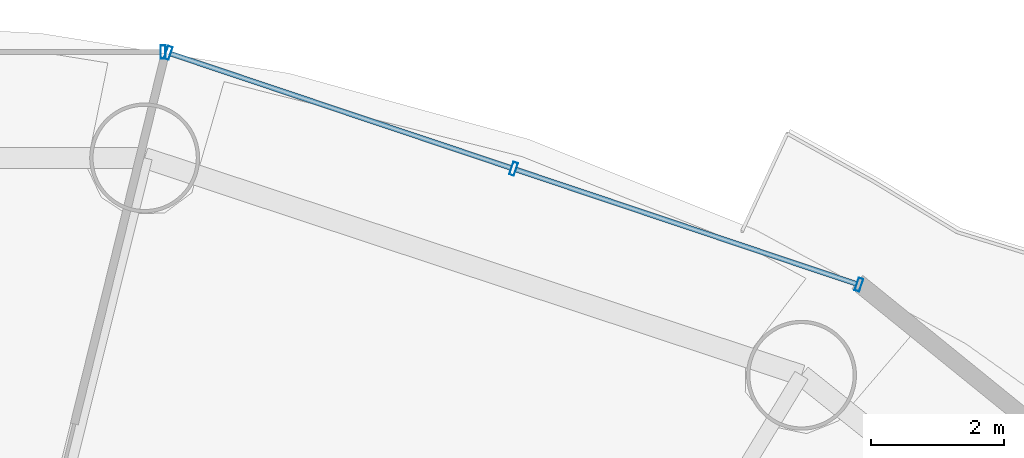
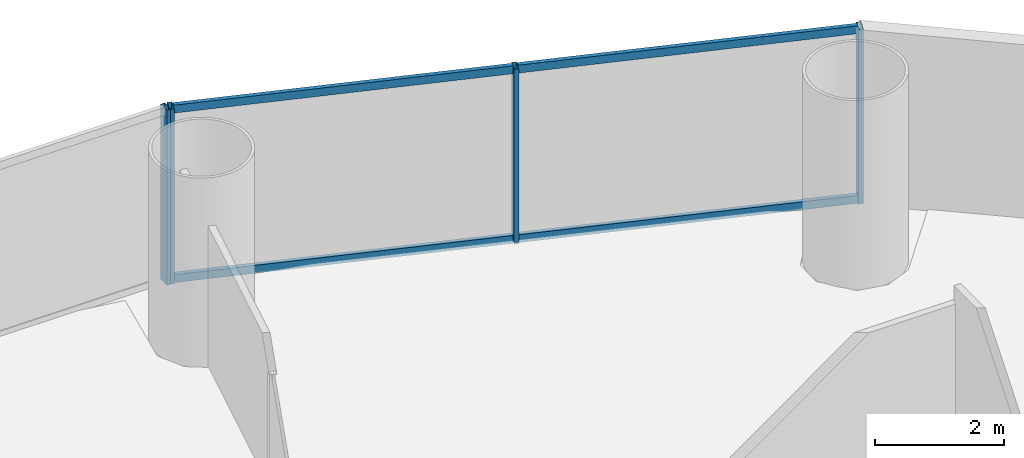
# One storey, part 20 of 30: 8 members, 2 elements without a shape of their own.
"""IFC4 building model written with IfcOpenShell, lengths in metres."""

from ifc_helpers import new_model, si_unit, direction, frame, origin, origin_2d, place, context, subcontext, project, spatial, hollow_rectangle, extrude, source, transform, mapped, material, material_profile, profile_set, type_object, element, aggregate, save


model = new_model("IFC4")

# Units and contexts
model_context = context("Model", 3, precision=1e-05, world=origin(), true_north=direction((-0.2419218956, 0.970295726276)))
body_context = subcontext(model_context, "Body", "Model", "MODEL_VIEW")
ifc_project = project(units=[si_unit("LENGTHUNIT", "METRE"), si_unit("AREAUNIT", "SQUARE_METRE"), si_unit("VOLUMEUNIT", "CUBIC_METRE"), si_unit("PLANEANGLEUNIT", "RADIAN"), si_unit("MASSUNIT", "GRAM", prefix="KILO")], contexts=[model_context])

# Site, building, storey
site_placement = place(None, origin())
site = spatial("IfcSite", under=ifc_project, at=site_placement, CompositionType="ELEMENT")
building_placement = place(site_placement, origin())
building = spatial("IfcBuilding", under=site, at=building_placement, Name="Cobrevalo Terracotta Tower", CompositionType="ELEMENT")
storey_placement = place(building_placement, frame((0.0, 0.0, 56.39990234375)))
storey = spatial("IfcBuildingStorey", under=building, at=storey_placement, Name="L14", CompositionType="ELEMENT", Elevation=56.39990234375)

# Curtain wall, members
ifc_material = material(Name="Anodized aluminium", Category="aluminium")
curtain_wall_type = type_object("IfcCurtainWallType", Name="Lower-tower unitised acoustic low-E curtain wall CW-U1", PredefinedType="NOTDEFINED", material=ifc_material)
curtain_wall_1_placement = place(storey_placement, origin())
curtain_wall_1 = element("IfcCurtainWall", 1, at=curtain_wall_1_placement, inside=storey, type_object=curtain_wall_type, Name="L14 curtain wall CW-L14-S03", PredefinedType="NOTDEFINED")
ifc_material_profile_1 = material_profile(ifc_material, hollow_rectangle(XDim=0.074951171875, YDim=0.199951171875, WallThickness=0.0048828125, at=origin_2d()), Name="CWM 75x200")
ifc_profile_set_1 = profile_set([ifc_material_profile_1], Name="Anodized aluminium")
member_type_1 = type_object("IfcMemberType", Name="Lower/mid tower unitised mullion 75x200", PredefinedType="MULLION", material=ifc_profile_set_1)
shared_shape_1 = source(origin(), body_context, "Body", "SweptSolid", [
    extrude(hollow_rectangle(XDim=0.074951171875, YDim=0.199951171875, WallThickness=0.0048828125, at=origin_2d()), origin(), (0.0, 0.0, 1.0), 3.320068359375),
])
member_1_placement = place(storey_placement, frame((54.056884765625, 46.327392578125, 0.0), z_axis=(0.0, 0.0, 1.0), x_axis=(-0.948046393597, 0.318132103987, 0.0)))
member_1 = element("IfcMember", 2, at=member_1_placement, type_object=member_type_1, Name="CW-L14-S03 vertical mullion 01", PredefinedType="MULLION", context=body_context, shape_type="MappedRepresentation", body=[
    mapped(shared_shape_1, transform((0.0, 0.0, 0.0), scale=1.0)),
])
member_2_placement = place(storey_placement, frame((48.873291015625, 48.06689453125, 0.0), z_axis=(0.0, 0.0, 1.0), x_axis=(-0.948046393597, 0.318132103987, 0.0)))
member_2 = element("IfcMember", 3, at=member_2_placement, type_object=member_type_1, Name="CW-L14-S03 vertical mullion 02", PredefinedType="MULLION", context=body_context, shape_type="MappedRepresentation", body=[
    mapped(shared_shape_1, transform((0.0, 0.0, 0.0), scale=1.0)),
])
member_3_placement = place(storey_placement, frame((43.689697265625, 49.806396484375, 0.0), z_axis=(0.0, 0.0, 1.0), x_axis=(-0.948046393597, 0.318132103987, 0.0)))
member_3 = element("IfcMember", 4, at=member_3_placement, type_object=member_type_1, Name="CW-L14-S03 vertical mullion 03", PredefinedType="MULLION", context=body_context, shape_type="MappedRepresentation", body=[
    mapped(shared_shape_1, transform((0.0, 0.0, 0.0), scale=1.0)),
])

# Curtain wall, member
curtain_wall_2_placement = place(storey_placement, origin())
curtain_wall_2 = element("IfcCurtainWall", 5, at=curtain_wall_2_placement, inside=storey, type_object=curtain_wall_type, Name="L14 curtain wall CW-L14-S04", PredefinedType="NOTDEFINED")
member_4_placement = place(storey_placement, frame((43.61181640625, 49.819091796875, 0.0), z_axis=(0.0, 0.0, 1.0), x_axis=(-1.0, 0.0, 0.0)))
member_4 = element("IfcMember", 6, at=member_4_placement, type_object=member_type_1, Name="CW-L14-S04 vertical mullion 01", PredefinedType="MULLION", context=body_context, shape_type="MappedRepresentation", body=[
    mapped(shared_shape_1, transform((0.0, 0.0, 0.0), scale=1.0)),
])
aggregate(curtain_wall_2, [member_4])

# Member
ifc_material_profile_2 = material_profile(ifc_material, hollow_rectangle(XDim=0.074951171875, YDim=0.14990234375, WallThickness=0.00439453125, at=origin_2d()), Name="CWT 75x150")
ifc_profile_set_2 = profile_set([ifc_material_profile_2], Name="Anodized aluminium")
member_type_2 = type_object("IfcMemberType", Name="Tower unitised aluminium transom 75x150", PredefinedType="USERDEFINED", material=ifc_profile_set_2)
shared_shape_2 = source(origin(), body_context, "Body", "SweptSolid", [
    extrude(hollow_rectangle(XDim=0.074951171875, YDim=0.14990234375, WallThickness=0.00439453125, at=origin_2d()), origin(), (0.0, 0.0, 1.0), 5.387939453125),
])
member_5_placement = place(storey_placement, frame((54.01904296875, 46.340087890625, 0.050048828125), z_axis=(-0.94804244582, 0.318143868278, 0.0), x_axis=(-0.318143868278, -0.94804244582, 0.0)))
member_5 = element("IfcMember", 7, at=member_5_placement, type_object=member_type_2, Name="CW-L14-S03 transom B01-T1", ObjectType="TRANSOM", PredefinedType="USERDEFINED", context=body_context, shape_type="MappedRepresentation", body=[
    mapped(shared_shape_2, transform((0.0, 0.0, 0.0), scale=1.0)),
])

member_6_placement = place(storey_placement, frame((54.01904296875, 46.340087890625, 3.27001953125), z_axis=(-0.94804244582, 0.318143868278, 0.0), x_axis=(-0.318143868278, -0.94804244582, 0.0)))
member_6 = element("IfcMember", 8, at=member_6_placement, type_object=member_type_2, Name="CW-L14-S03 transom B01-T2", ObjectType="TRANSOM", PredefinedType="USERDEFINED", context=body_context, shape_type="MappedRepresentation", body=[
    mapped(shared_shape_2, transform((0.0, 0.0, 0.0), scale=1.0)),
])

member_7_placement = place(storey_placement, frame((48.83544921875, 48.07958984375, 0.050048828125), z_axis=(-0.94804244582, 0.318143868278, 0.0), x_axis=(-0.318143868278, -0.94804244582, 0.0)))
member_7 = element("IfcMember", 9, at=member_7_placement, type_object=member_type_2, Name="CW-L14-S03 transom B02-T1", ObjectType="TRANSOM", PredefinedType="USERDEFINED", context=body_context, shape_type="MappedRepresentation", body=[
    mapped(shared_shape_2, transform((0.0, 0.0, 0.0), scale=1.0)),
])

member_8_placement = place(storey_placement, frame((48.83544921875, 48.07958984375, 3.27001953125), z_axis=(-0.94804244582, 0.318143868278, 0.0), x_axis=(-0.318143868278, -0.94804244582, 0.0)))
member_8 = element("IfcMember", 10, at=member_8_placement, type_object=member_type_2, Name="CW-L14-S03 transom B02-T2", ObjectType="TRANSOM", PredefinedType="USERDEFINED", context=body_context, shape_type="MappedRepresentation", body=[
    mapped(shared_shape_2, transform((0.0, 0.0, 0.0), scale=1.0)),
])

aggregate(curtain_wall_1, [member_1, member_2, member_3, member_5, member_6, member_7, member_8])

save(model, "model.ifc")
